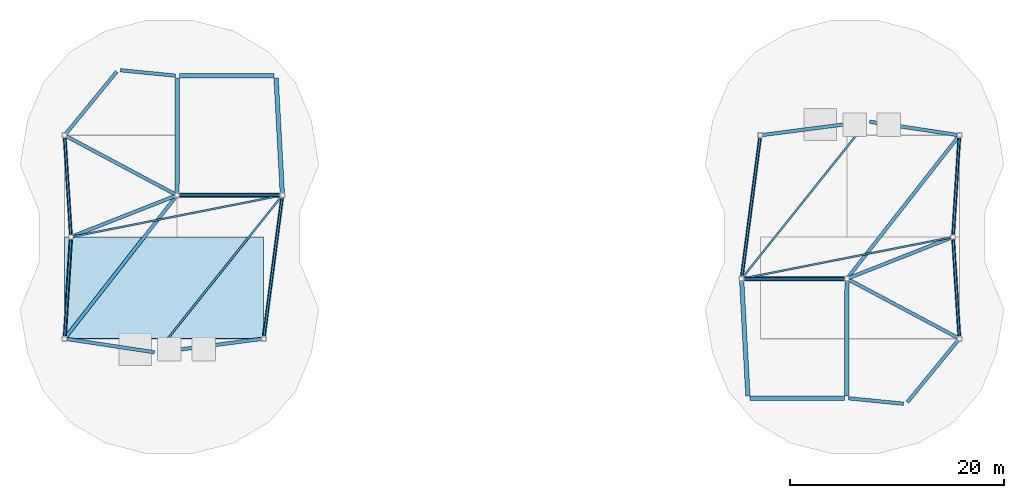
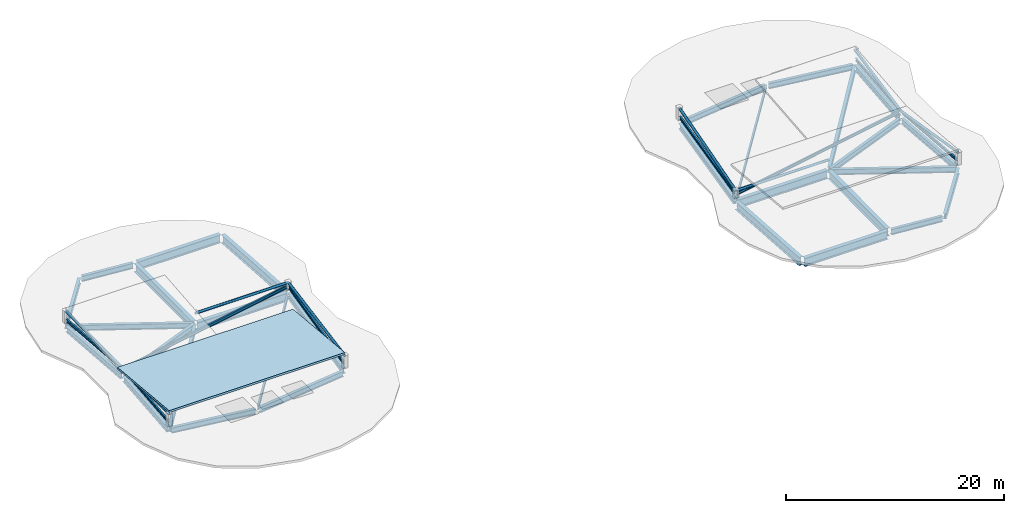
# One storey, part 5 of 6: 38 beams, 8 members, 1 slab.
"""IFC4 building model written with IfcOpenShell, lengths in metres."""

from ifc_helpers import new_model, si_unit, direction, frame, origin, origin_2d, place, context, subcontext, project, spatial, polyline, hollow_circle, i_section, outline, extrude, material, layer, layer_set, material_profile, profile_set, type_object, element, save


model = new_model("IFC4")

# Units and contexts
model_context = context("Model", 3, precision=1e-05, world=origin(), true_north=direction((0.0, 1.0)))
body_context = subcontext(model_context, "Body", "Model", "MODEL_VIEW")
ifc_project = project(units=[si_unit("LENGTHUNIT", "METRE"), si_unit("AREAUNIT", "SQUARE_METRE"), si_unit("VOLUMEUNIT", "CUBIC_METRE"), si_unit("PLANEANGLEUNIT", "RADIAN"), si_unit("MASSUNIT", "GRAM", prefix="KILO"), si_unit("THERMODYNAMICTEMPERATUREUNIT", "KELVIN"), si_unit("POWERUNIT", "WATT")], contexts=[model_context])

# Site, building, storey
site_placement = place(None, origin())
site = spatial("IfcSite", under=ifc_project, at=site_placement, CompositionType="ELEMENT")
building_placement = place(site_placement, origin())
building = spatial("IfcBuilding", under=site, at=building_placement, Name="Cundina Bronze Exchange", CompositionType="ELEMENT")
storey_placement = place(building_placement, frame((0.0, 0.0, 291.60009765625)))
storey = spatial("IfcBuildingStorey", under=building, at=storey_placement, Name="RF", CompositionType="ELEMENT", Elevation=291.60009765625)

# Beams
ifc_material_1 = material(Name="Steel ASTM A992 Grade 50", Category="steel")
ifc_material_profile_1 = material_profile(ifc_material_1, i_section(OverallWidth=0.172119140625, OverallDepth=0.35791015625, WebThickness=0.0078125, FlangeThickness=0.01318359375, FilletRadius=0.010009765625, at=origin_2d()), Name="W14X38", Category="steel")
ifc_profile_set_1 = profile_set([ifc_material_profile_1], Name="Steel ASTM A992 Grade 50")
beam_type_1 = type_object("IfcBeamType", Name="BM-JST-W14", PredefinedType="JOIST", material=ifc_profile_set_1)
beam_1_placement = place(storey_placement, frame((21.572509765625, -3.746826171875, -0.44921875), z_axis=(0.624366688299, 0.781131383662, 0.0), x_axis=(-0.781131383662, 0.624366688299, 0.0)))
element("IfcBeam", 1, at=beam_1_placement, inside=storey, type_object=beam_type_1, Name="RF E Interior Core-to-Ring Joist 2", PredefinedType="JOIST", context=body_context, shape_type="SweptSolid", body=[
    extrude(i_section(OverallWidth=0.172119140625, OverallDepth=0.35791015625, WebThickness=0.0078125, FlangeThickness=0.01318359375, FilletRadius=0.010009765625, at=origin_2d()), origin(), (0.0, 0.0, 1.0), 18.40966796875),
])
ifc_material_profile_2 = material_profile(ifc_material_1, i_section(OverallWidth=0.178955078125, OverallDepth=0.409912109375, WebThickness=0.0087890625, FlangeThickness=0.014404296875, FilletRadius=0.010986328125, at=origin_2d()), Name="W16X45", Category="steel")
ifc_profile_set_2 = profile_set([ifc_material_profile_2], Name="Steel ASTM A992 Grade 50")
beam_type_2 = type_object("IfcBeamType", Name="BM-JST-W16", PredefinedType="JOIST", material=ifc_profile_set_2)
beam_2_placement = place(storey_placement, frame((-21.572509765625, 3.746826171875, -0.47509765625), z_axis=(-0.624366688299, -0.781131383662, 0.0), x_axis=(0.781131383662, -0.624366688299, 0.0)))
element("IfcBeam", 2, at=beam_2_placement, inside=storey, type_object=beam_type_2, Name="RF W Interior Core-to-Ring Joist 2", PredefinedType="JOIST", context=body_context, shape_type="SweptSolid", body=[
    extrude(i_section(OverallWidth=0.178955078125, OverallDepth=0.409912109375, WebThickness=0.0087890625, FlangeThickness=0.014404296875, FilletRadius=0.010986328125, at=origin_2d()), origin(), (0.0, 0.0, 1.0), 18.40966796875),
])
ifc_material_profile_3 = material_profile(ifc_material_1, i_section(OverallWidth=0.324951171875, OverallDepth=0.615966796875, WebThickness=0.013916015625, FlangeThickness=0.021484375, FilletRadius=0.01611328125, at=origin_2d()), Name="W24X117", Category="steel")
ifc_profile_set_3 = profile_set([ifc_material_profile_3], Name="Steel ASTM A992 Grade 50")
beam_type_3 = type_object("IfcBeamType", Name="BM-RING-W24", PredefinedType="USERDEFINED", material=ifc_profile_set_3)
beam_3_placement = place(storey_placement, frame((-31.445068359375, 15.0693359375, -0.578125), z_axis=(-0.995123343793, 0.098638383187, 0.0), x_axis=(-0.098638383187, -0.995123343793, 0.0)))
element("IfcBeam", 3, at=beam_3_placement, inside=storey, type_object=beam_type_3, Name="RF W Inner Structural Ring Girder 01", ObjectType="GIRDER", PredefinedType="USERDEFINED", context=body_context, shape_type="SweptSolid", body=[
    extrude(i_section(OverallWidth=0.324951171875, OverallDepth=0.615966796875, WebThickness=0.013916015625, FlangeThickness=0.021484375, FilletRadius=0.01611328125, at=origin_2d()), origin(), (0.0, 0.0, 1.0), 5.16796875),
])
beam_4_placement = place(storey_placement, frame((-36.93505859375, 15.435302734375, -0.578125), z_axis=(-0.633932446684, -0.773388423136, 0.0), x_axis=(0.773388423136, -0.633932446684, 0.0)))
element("IfcBeam", 4, at=beam_4_placement, inside=storey, type_object=beam_type_3, Name="RF W Inner Structural Ring Girder 02", ObjectType="GIRDER", PredefinedType="USERDEFINED", context=body_context, shape_type="SweptSolid", body=[
    extrude(i_section(OverallWidth=0.324951171875, OverallDepth=0.615966796875, WebThickness=0.013916015625, FlangeThickness=0.021484375, FilletRadius=0.01611328125, at=origin_2d()), origin(), (0.0, 0.0, 1.0), 7.46142578125),
])
for number, where, z_axis, x_axis, name in (
    (5, (-41.78662109375, 9.287353515625, -0.578125), (0.063043564756, -0.998010775965, 0.0), (0.998010775965, 0.063043564756, 0.0), "RF W Inner Structural Ring Girder 03"),
    (6, (-41.21337890625, -0.212646484375, -0.578125), (-0.063043564756, -0.998010775965, 0.0), (0.998010775965, -0.063043564756, 0.0), "RF W Inner Structural Ring Girder 04"),
):
    element("IfcBeam", number, at=place(storey_placement, frame(where, z_axis=z_axis, x_axis=x_axis)), inside=storey, type_object=beam_type_3, Name=name, ObjectType="GIRDER", PredefinedType="USERDEFINED", context=body_context, shape_type="SweptSolid", body=[
        extrude(i_section(OverallWidth=0.324951171875, OverallDepth=0.615966796875, WebThickness=0.013916015625, FlangeThickness=0.021484375, FilletRadius=0.01611328125, at=origin_2d()), origin(), (0.0, 0.0, 1.0), 9.0927734375),
    ])
beam_5_placement = place(storey_placement, frame((-41.58935546875, -9.53173828125, -0.578125), z_axis=(0.988762483919, -0.149494984509, 0.0), x_axis=(0.149494984509, 0.988762483919, 0.0)))
element("IfcBeam", 7, at=beam_5_placement, inside=storey, type_object=beam_type_3, Name="RF W Inner Structural Ring Girder 05", ObjectType="GIRDER", PredefinedType="USERDEFINED", context=body_context, shape_type="SweptSolid", body=[
    extrude(i_section(OverallWidth=0.324951171875, OverallDepth=0.615966796875, WebThickness=0.013916015625, FlangeThickness=0.021484375, FilletRadius=0.01611328125, at=origin_2d()), origin(), (0.0, 0.0, 1.0), 8.271728515625),
])
beam_6_placement = place(storey_placement, frame((-32.98876953125, -10.7724609375, -0.578125), z_axis=(0.991658525473, 0.128892858052, 0.0), x_axis=(-0.128892858052, 0.991658525473, 0.0)))
element("IfcBeam", 8, at=beam_6_placement, inside=storey, type_object=beam_type_3, Name="RF W Inner Structural Ring Girder 06", ObjectType="GIRDER", PredefinedType="USERDEFINED", context=body_context, shape_type="SweptSolid", body=[
    extrude(i_section(OverallWidth=0.324951171875, OverallDepth=0.615966796875, WebThickness=0.013916015625, FlangeThickness=0.021484375, FilletRadius=0.01611328125, at=origin_2d()), origin(), (0.0, 0.0, 1.0), 9.658203125),
])
beam_7_placement = place(storey_placement, frame((-23.17236328125, -9.288818359375, -0.578125), z_axis=(0.129494487025, 0.99158014191, 0.0), x_axis=(-0.99158014191, 0.129494487025, 0.0)))
element("IfcBeam", 9, at=beam_7_placement, inside=storey, type_object=beam_type_3, Name="RF W Inner Structural Ring Girder 07", ObjectType="GIRDER", PredefinedType="USERDEFINED", context=body_context, shape_type="SweptSolid", body=[
    extrude(i_section(OverallWidth=0.324951171875, OverallDepth=0.615966796875, WebThickness=0.013916015625, FlangeThickness=0.021484375, FilletRadius=0.01611328125, at=origin_2d()), origin(), (0.0, 0.0, 1.0), 13.10498046875),
])
beam_8_placement = place(storey_placement, frame((-31.482421875, 3.828125, -0.578125), z_axis=(-0.93040913258, -0.366522640518, 0.0), x_axis=(0.366522640518, -0.93040913258, 0.0)))
element("IfcBeam", 10, at=beam_8_placement, inside=storey, type_object=beam_type_3, Name="RF W Core-to-Waist Tie Beam 1", ObjectType="GIRDER", PredefinedType="USERDEFINED", context=body_context, shape_type="SweptSolid", body=[
    extrude(i_section(OverallWidth=0.324951171875, OverallDepth=0.615966796875, WebThickness=0.013916015625, FlangeThickness=0.021484375, FilletRadius=0.01611328125, at=origin_2d()), origin(), (0.0, 0.0, 1.0), 10.231201171875),
])
beam_9_placement = place(storey_placement, frame((-31.472900390625, 3.9921875, -0.578125), z_axis=(-0.882347059857, 0.470599262602, 0.0), x_axis=(-0.470599262602, -0.882347059857, 0.0)))
element("IfcBeam", 11, at=beam_9_placement, inside=storey, type_object=beam_type_3, Name="RF W Core-to-Waist Tie Beam 2", ObjectType="GIRDER", PredefinedType="USERDEFINED", context=body_context, shape_type="SweptSolid", body=[
    extrude(i_section(OverallWidth=0.324951171875, OverallDepth=0.615966796875, WebThickness=0.013916015625, FlangeThickness=0.021484375, FilletRadius=0.01611328125, at=origin_2d()), origin(), (0.0, 0.0, 1.0), 11.4912109375),
])
beam_10_placement = place(storey_placement, frame((-31.4208984375, 3.74560546875, -0.578125), z_axis=(-0.616791126611, -0.787126867877, 0.0), x_axis=(0.787126867877, -0.616791126611, 0.0)))
element("IfcBeam", 12, at=beam_10_placement, inside=storey, type_object=beam_type_3, Name="RF W Core-to-Waist Tie Beam 3", ObjectType="GIRDER", PredefinedType="USERDEFINED", context=body_context, shape_type="SweptSolid", body=[
    extrude(i_section(OverallWidth=0.324951171875, OverallDepth=0.615966796875, WebThickness=0.013916015625, FlangeThickness=0.021484375, FilletRadius=0.01611328125, at=origin_2d()), origin(), (0.0, 0.0, 1.0), 16.61474609375),
])
beam_11_placement = place(storey_placement, frame((31.445068359375, -15.0693359375, -0.578125), z_axis=(0.995123343793, -0.098638383187, 0.0), x_axis=(0.098638383187, 0.995123343793, 0.0)))
element("IfcBeam", 13, at=beam_11_placement, inside=storey, type_object=beam_type_3, Name="RF E Inner Structural Ring Girder 01", ObjectType="GIRDER", PredefinedType="USERDEFINED", context=body_context, shape_type="SweptSolid", body=[
    extrude(i_section(OverallWidth=0.324951171875, OverallDepth=0.615966796875, WebThickness=0.013916015625, FlangeThickness=0.021484375, FilletRadius=0.01611328125, at=origin_2d()), origin(), (0.0, 0.0, 1.0), 5.16796875),
])
beam_12_placement = place(storey_placement, frame((36.93505859375, -15.435302734375, -0.578125), z_axis=(0.633932446684, 0.773388423136, 0.0), x_axis=(-0.773388423136, 0.633932446684, 0.0)))
element("IfcBeam", 14, at=beam_12_placement, inside=storey, type_object=beam_type_3, Name="RF E Inner Structural Ring Girder 02", ObjectType="GIRDER", PredefinedType="USERDEFINED", context=body_context, shape_type="SweptSolid", body=[
    extrude(i_section(OverallWidth=0.324951171875, OverallDepth=0.615966796875, WebThickness=0.013916015625, FlangeThickness=0.021484375, FilletRadius=0.01611328125, at=origin_2d()), origin(), (0.0, 0.0, 1.0), 7.46142578125),
])
for number, where, z_axis, x_axis, name in (
    (15, (41.78662109375, -9.287353515625, -0.578125), (-0.063043564756, 0.998010775965, 0.0), (-0.998010775965, -0.063043564756, 0.0), "RF E Inner Structural Ring Girder 03"),
    (16, (41.21337890625, 0.212646484375, -0.578125), (0.063043564756, 0.998010775965, 0.0), (-0.998010775965, 0.063043564756, 0.0), "RF E Inner Structural Ring Girder 04"),
):
    element("IfcBeam", number, at=place(storey_placement, frame(where, z_axis=z_axis, x_axis=x_axis)), inside=storey, type_object=beam_type_3, Name=name, ObjectType="GIRDER", PredefinedType="USERDEFINED", context=body_context, shape_type="SweptSolid", body=[
        extrude(i_section(OverallWidth=0.324951171875, OverallDepth=0.615966796875, WebThickness=0.013916015625, FlangeThickness=0.021484375, FilletRadius=0.01611328125, at=origin_2d()), origin(), (0.0, 0.0, 1.0), 9.0927734375),
    ])
beam_13_placement = place(storey_placement, frame((41.58935546875, 9.53173828125, -0.578125), z_axis=(-0.988762483919, 0.149494984509, 0.0), x_axis=(-0.149494984509, -0.988762483919, 0.0)))
element("IfcBeam", 17, at=beam_13_placement, inside=storey, type_object=beam_type_3, Name="RF E Inner Structural Ring Girder 05", ObjectType="GIRDER", PredefinedType="USERDEFINED", context=body_context, shape_type="SweptSolid", body=[
    extrude(i_section(OverallWidth=0.324951171875, OverallDepth=0.615966796875, WebThickness=0.013916015625, FlangeThickness=0.021484375, FilletRadius=0.01611328125, at=origin_2d()), origin(), (0.0, 0.0, 1.0), 8.271728515625),
])
beam_14_placement = place(storey_placement, frame((32.98876953125, 10.7724609375, -0.578125), z_axis=(-0.991658525473, -0.128892858052, 0.0), x_axis=(0.128892858052, -0.991658525473, 0.0)))
element("IfcBeam", 18, at=beam_14_placement, inside=storey, type_object=beam_type_3, Name="RF E Inner Structural Ring Girder 06", ObjectType="GIRDER", PredefinedType="USERDEFINED", context=body_context, shape_type="SweptSolid", body=[
    extrude(i_section(OverallWidth=0.324951171875, OverallDepth=0.615966796875, WebThickness=0.013916015625, FlangeThickness=0.021484375, FilletRadius=0.01611328125, at=origin_2d()), origin(), (0.0, 0.0, 1.0), 9.658203125),
])
beam_15_placement = place(storey_placement, frame((23.17236328125, 9.288818359375, -0.578125), z_axis=(-0.129494487025, -0.99158014191, 0.0), x_axis=(0.99158014191, -0.129494487025, 0.0)))
element("IfcBeam", 19, at=beam_15_placement, inside=storey, type_object=beam_type_3, Name="RF E Inner Structural Ring Girder 07", ObjectType="GIRDER", PredefinedType="USERDEFINED", context=body_context, shape_type="SweptSolid", body=[
    extrude(i_section(OverallWidth=0.324951171875, OverallDepth=0.615966796875, WebThickness=0.013916015625, FlangeThickness=0.021484375, FilletRadius=0.01611328125, at=origin_2d()), origin(), (0.0, 0.0, 1.0), 13.10498046875),
])
beam_16_placement = place(storey_placement, frame((31.482421875, -3.828125, -0.578125), z_axis=(0.93040913258, 0.366522640518, 0.0), x_axis=(-0.366522640518, 0.93040913258, 0.0)))
element("IfcBeam", 20, at=beam_16_placement, inside=storey, type_object=beam_type_3, Name="RF E Core-to-Waist Tie Beam 1", ObjectType="GIRDER", PredefinedType="USERDEFINED", context=body_context, shape_type="SweptSolid", body=[
    extrude(i_section(OverallWidth=0.324951171875, OverallDepth=0.615966796875, WebThickness=0.013916015625, FlangeThickness=0.021484375, FilletRadius=0.01611328125, at=origin_2d()), origin(), (0.0, 0.0, 1.0), 10.231201171875),
])
beam_17_placement = place(storey_placement, frame((31.472900390625, -3.9921875, -0.578125), z_axis=(0.882347059857, -0.470599262602, 0.0), x_axis=(0.470599262602, 0.882347059857, 0.0)))
element("IfcBeam", 21, at=beam_17_placement, inside=storey, type_object=beam_type_3, Name="RF E Core-to-Waist Tie Beam 2", ObjectType="GIRDER", PredefinedType="USERDEFINED", context=body_context, shape_type="SweptSolid", body=[
    extrude(i_section(OverallWidth=0.324951171875, OverallDepth=0.615966796875, WebThickness=0.013916015625, FlangeThickness=0.021484375, FilletRadius=0.01611328125, at=origin_2d()), origin(), (0.0, 0.0, 1.0), 11.4912109375),
])
beam_18_placement = place(storey_placement, frame((31.4208984375, -3.74560546875, -0.578125), z_axis=(0.616791126611, 0.787126867877, 0.0), x_axis=(-0.787126867877, 0.616791126611, 0.0)))
element("IfcBeam", 22, at=beam_18_placement, inside=storey, type_object=beam_type_3, Name="RF E Core-to-Waist Tie Beam 3", ObjectType="GIRDER", PredefinedType="USERDEFINED", context=body_context, shape_type="SweptSolid", body=[
    extrude(i_section(OverallWidth=0.324951171875, OverallDepth=0.615966796875, WebThickness=0.013916015625, FlangeThickness=0.021484375, FilletRadius=0.01611328125, at=origin_2d()), origin(), (0.0, 0.0, 1.0), 16.61474609375),
])
ifc_material_profile_4 = material_profile(ifc_material_1, i_section(OverallWidth=0.166015625, OverallDepth=0.31298828125, WebThickness=0.006591796875, FlangeThickness=0.01123046875, FilletRadius=0.010009765625, at=origin_2d()), Name="W12X30", Category="steel")
ifc_profile_set_4 = profile_set([ifc_material_profile_4], Name="Steel ASTM A992 Grade 50")
beam_type_4 = type_object("IfcBeamType", Name="BM-ROOF-W12", PredefinedType="USERDEFINED", material=ifc_profile_set_4)
beam_19_placement = place(storey_placement, frame((-40.990966796875, 0.041259765625, 0.343505859375), z_axis=(0.981056186097, 0.193723410358, 0.0), x_axis=(-0.193723410358, 0.981056186097, 0.0)))
element("IfcBeam", 23, at=beam_19_placement, inside=storey, type_object=beam_type_4, Name="RF Leg W V-Notch Glass Roof Purlin EAV", ObjectType="PURLIN", PredefinedType="USERDEFINED", context=body_context, shape_type="SweptSolid", body=[
    extrude(i_section(OverallWidth=0.166015625, OverallDepth=0.31298828125, WebThickness=0.006591796875, FlangeThickness=0.01123046875, FilletRadius=0.010009765625, at=origin_2d()), origin(), (0.0, 0.0, 1.0), 19.705322265625),
])
for number, where, z_axis, x_axis, name in (
    (24, (-41.21337890625, 0.212646484375, 0.343505859375), (-0.063043564756, 0.998010775965, 0.0), (-0.998010775965, -0.063043564756, 0.0), "RF Leg W V-Notch Glass Roof Purlin DGN"),
    (25, (-41.21337890625, -0.212646484375, 0.343505859375), (-0.063043564756, -0.998010775965, 0.0), (0.998010775965, -0.063043564756, 0.0), "RF Leg W V-Notch Glass Roof Purlin DGS"),
):
    element("IfcBeam", number, at=place(storey_placement, frame(where, z_axis=z_axis, x_axis=x_axis)), inside=storey, type_object=beam_type_4, Name=name, ObjectType="PURLIN", PredefinedType="USERDEFINED", context=body_context, shape_type="SweptSolid", body=[
        extrude(i_section(OverallWidth=0.166015625, OverallDepth=0.31298828125, WebThickness=0.006591796875, FlangeThickness=0.01123046875, FilletRadius=0.010009765625, at=origin_2d()), origin(), (0.0, 0.0, 1.0), 9.0927734375),
    ])
beam_20_placement = place(storey_placement, frame((-21.4775390625, 3.688720703125, 0.343505859375), z_axis=(-0.129497083882, -0.991579802772, 0.0), x_axis=(0.991579802772, -0.129497083882, 0.0)))
element("IfcBeam", 26, at=beam_20_placement, inside=storey, type_object=beam_type_4, Name="RF Leg W V-Notch Glass Roof Purlin XRS", ObjectType="PURLIN", PredefinedType="USERDEFINED", context=body_context, shape_type="SweptSolid", body=[
    extrude(i_section(OverallWidth=0.166015625, OverallDepth=0.31298828125, WebThickness=0.006591796875, FlangeThickness=0.01123046875, FilletRadius=0.010009765625, at=origin_2d()), origin(), (0.0, 0.0, 1.0), 13.087646484375),
])
beam_21_placement = place(storey_placement, frame((40.990966796875, -0.041259765625, 0.343505859375), z_axis=(-0.981056186097, -0.193723410358, 0.0), x_axis=(0.193723410358, -0.981056186097, 0.0)))
element("IfcBeam", 27, at=beam_21_placement, inside=storey, type_object=beam_type_4, Name="RF Leg E V-Notch Glass Roof Purlin EAV", ObjectType="PURLIN", PredefinedType="USERDEFINED", context=body_context, shape_type="SweptSolid", body=[
    extrude(i_section(OverallWidth=0.166015625, OverallDepth=0.31298828125, WebThickness=0.006591796875, FlangeThickness=0.01123046875, FilletRadius=0.010009765625, at=origin_2d()), origin(), (0.0, 0.0, 1.0), 19.705322265625),
])
for number, where, z_axis, x_axis, name in (
    (28, (41.21337890625, -0.212646484375, 0.343505859375), (0.063043564756, -0.998010775965, 0.0), (0.998010775965, 0.063043564756, 0.0), "RF Leg E V-Notch Glass Roof Purlin DGN"),
    (29, (41.21337890625, 0.212646484375, 0.343505859375), (0.063043564756, 0.998010775965, 0.0), (-0.998010775965, 0.063043564756, 0.0), "RF Leg E V-Notch Glass Roof Purlin DGS"),
):
    element("IfcBeam", number, at=place(storey_placement, frame(where, z_axis=z_axis, x_axis=x_axis)), inside=storey, type_object=beam_type_4, Name=name, ObjectType="PURLIN", PredefinedType="USERDEFINED", context=body_context, shape_type="SweptSolid", body=[
        extrude(i_section(OverallWidth=0.166015625, OverallDepth=0.31298828125, WebThickness=0.006591796875, FlangeThickness=0.01123046875, FilletRadius=0.010009765625, at=origin_2d()), origin(), (0.0, 0.0, 1.0), 9.0927734375),
    ])
beam_22_placement = place(storey_placement, frame((21.4775390625, -3.688720703125, 0.343505859375), z_axis=(0.129497083882, 0.991579802772, 0.0), x_axis=(-0.991579802772, 0.129497083882, 0.0)))
element("IfcBeam", 30, at=beam_22_placement, inside=storey, type_object=beam_type_4, Name="RF Leg E V-Notch Glass Roof Purlin XRS", ObjectType="PURLIN", PredefinedType="USERDEFINED", context=body_context, shape_type="SweptSolid", body=[
    extrude(i_section(OverallWidth=0.166015625, OverallDepth=0.31298828125, WebThickness=0.006591796875, FlangeThickness=0.01123046875, FilletRadius=0.010009765625, at=origin_2d()), origin(), (0.0, 0.0, 1.0), 13.087646484375),
])
ifc_material_profile_5 = material_profile(ifc_material_1, i_section(OverallWidth=0.41796875, OverallDepth=0.927001953125, WebThickness=0.019287109375, FlangeThickness=0.031982421875, FilletRadius=0.02392578125, at=origin_2d()), Name="W36X231", Category="steel")
ifc_profile_set_5 = profile_set([ifc_material_profile_5], Name="Steel ASTM A992 Grade 50")
beam_type_5 = type_object("IfcBeamType", Name="BM-WRN-W36B", PredefinedType="USERDEFINED", material=ifc_profile_set_5)
beam_23_placement = place(storey_placement, frame((-31.10400390625, 3.89990234375, -0.733642578125), z_axis=(1.0, 0.0, 0.0), x_axis=(0.0, 1.0, 0.0)))
element("IfcBeam", 31, at=beam_23_placement, inside=storey, type_object=beam_type_5, Name="RF W Core Perimeter Tie Girder 1", ObjectType="GIRDER", PredefinedType="USERDEFINED", context=body_context, shape_type="SweptSolid", body=[
    extrude(i_section(OverallWidth=0.41796875, OverallDepth=0.927001953125, WebThickness=0.019287109375, FlangeThickness=0.031982421875, FilletRadius=0.02392578125, at=origin_2d()), origin(), (0.0, 0.0, 1.0), 9.4580078125),
])
beam_24_placement = place(storey_placement, frame((-21.46044921875, 4.095703125, -0.733642578125), z_axis=(-0.053749317644, 0.998554460634, 0.0), x_axis=(-0.998554460634, -0.053749317644, 0.0)))
element("IfcBeam", 32, at=beam_24_placement, inside=storey, type_object=beam_type_5, Name="RF W Core Perimeter Tie Girder 2", ObjectType="GIRDER", PredefinedType="USERDEFINED", context=body_context, shape_type="SweptSolid", body=[
    extrude(i_section(OverallWidth=0.41796875, OverallDepth=0.927001953125, WebThickness=0.019287109375, FlangeThickness=0.031982421875, FilletRadius=0.02392578125, at=origin_2d()), origin(), (0.0, 0.0, 1.0), 10.774169921875),
])
beam_25_placement = place(storey_placement, frame((-22.24609375, 15.050048828125, -0.733642578125), z_axis=(-1.0, 0.0, 0.0), x_axis=(0.0, -1.0, 0.0)))
element("IfcBeam", 33, at=beam_25_placement, inside=storey, type_object=beam_type_5, Name="RF W Core Perimeter Tie Girder 3", ObjectType="GIRDER", PredefinedType="USERDEFINED", context=body_context, shape_type="SweptSolid", body=[
    extrude(i_section(OverallWidth=0.41796875, OverallDepth=0.927001953125, WebThickness=0.019287109375, FlangeThickness=0.031982421875, FilletRadius=0.02392578125, at=origin_2d()), origin(), (0.0, 0.0, 1.0), 8.807861328125),
])
beam_26_placement = place(storey_placement, frame((-31.2509765625, 14.85400390625, -0.733642578125), z_axis=(-0.004470623654, -0.999990006712, 0.0), x_axis=(0.999990006712, -0.004470623654, 0.0)))
element("IfcBeam", 34, at=beam_26_placement, inside=storey, type_object=beam_type_5, Name="RF W Core Perimeter Tie Girder 4", ObjectType="GIRDER", PredefinedType="USERDEFINED", context=body_context, shape_type="SweptSolid", body=[
    extrude(i_section(OverallWidth=0.41796875, OverallDepth=0.927001953125, WebThickness=0.019287109375, FlangeThickness=0.031982421875, FilletRadius=0.02392578125, at=origin_2d()), origin(), (0.0, 0.0, 1.0), 10.758056640625),
])
beam_27_placement = place(storey_placement, frame((31.10400390625, -3.89990234375, -0.733642578125), z_axis=(-1.0, 0.0, 0.0), x_axis=(0.0, -1.0, 0.0)))
element("IfcBeam", 35, at=beam_27_placement, inside=storey, type_object=beam_type_5, Name="RF E Core Perimeter Tie Girder 1", ObjectType="GIRDER", PredefinedType="USERDEFINED", context=body_context, shape_type="SweptSolid", body=[
    extrude(i_section(OverallWidth=0.41796875, OverallDepth=0.927001953125, WebThickness=0.019287109375, FlangeThickness=0.031982421875, FilletRadius=0.02392578125, at=origin_2d()), origin(), (0.0, 0.0, 1.0), 9.4580078125),
])
beam_28_placement = place(storey_placement, frame((21.46044921875, -4.095703125, -0.733642578125), z_axis=(0.053749317644, -0.998554460634, 0.0), x_axis=(0.998554460634, 0.053749317644, 0.0)))
element("IfcBeam", 36, at=beam_28_placement, inside=storey, type_object=beam_type_5, Name="RF E Core Perimeter Tie Girder 2", ObjectType="GIRDER", PredefinedType="USERDEFINED", context=body_context, shape_type="SweptSolid", body=[
    extrude(i_section(OverallWidth=0.41796875, OverallDepth=0.927001953125, WebThickness=0.019287109375, FlangeThickness=0.031982421875, FilletRadius=0.02392578125, at=origin_2d()), origin(), (0.0, 0.0, 1.0), 10.774169921875),
])
beam_29_placement = place(storey_placement, frame((22.24609375, -15.050048828125, -0.733642578125), z_axis=(1.0, 0.0, 0.0), x_axis=(0.0, 1.0, 0.0)))
element("IfcBeam", 37, at=beam_29_placement, inside=storey, type_object=beam_type_5, Name="RF E Core Perimeter Tie Girder 3", ObjectType="GIRDER", PredefinedType="USERDEFINED", context=body_context, shape_type="SweptSolid", body=[
    extrude(i_section(OverallWidth=0.41796875, OverallDepth=0.927001953125, WebThickness=0.019287109375, FlangeThickness=0.031982421875, FilletRadius=0.02392578125, at=origin_2d()), origin(), (0.0, 0.0, 1.0), 8.807861328125),
])
beam_30_placement = place(storey_placement, frame((31.2509765625, -14.85400390625, -0.733642578125), z_axis=(0.004470623654, 0.999990006712, 0.0), x_axis=(-0.999990006712, 0.004470623654, 0.0)))
element("IfcBeam", 38, at=beam_30_placement, inside=storey, type_object=beam_type_5, Name="RF E Core Perimeter Tie Girder 4", ObjectType="GIRDER", PredefinedType="USERDEFINED", context=body_context, shape_type="SweptSolid", body=[
    extrude(i_section(OverallWidth=0.41796875, OverallDepth=0.927001953125, WebThickness=0.019287109375, FlangeThickness=0.031982421875, FilletRadius=0.02392578125, at=origin_2d()), origin(), (0.0, 0.0, 1.0), 10.758056640625),
])

# Members
ifc_material_2 = material(Name="Steel ASTM A500 Grade C", Category="steel")
ifc_material_profile_6 = material_profile(ifc_material_2, hollow_circle(Radius=0.136474609375, WallThickness=0.013916015625, at=origin_2d()), Name="CHS273X14", Category="steel")
ifc_profile_set_6 = profile_set([ifc_material_profile_6], Name="Steel ASTM A500 Grade C")
member_type = type_object("IfcMemberType", Name="MBR-ROOF-CHS273", PredefinedType="RAFTER", material=ifc_profile_set_6)
member_1_placement = place(storey_placement, frame((-41.199951171875, 0.0, 0.369873046875), z_axis=(-0.062761015729, 0.993554371056, 0.094396857262), x_axis=(-0.998010841781, -0.063042522849, 0.0)))
element("IfcMember", 39, at=member_1_placement, inside=storey, type_object=member_type, Name="RF Leg W V-Notch Sloped Rafter NW", PredefinedType="RAFTER", context=body_context, shape_type="SweptSolid", body=[
    extrude(hollow_circle(Radius=0.136474609375, WallThickness=0.013916015625, at=origin_2d()), origin(), (0.0, 0.0, 1.0), 9.5615234375),
])
member_2_placement = place(storey_placement, frame((-21.449951171875, 3.89990234375, 0.740478515625), z_axis=(-1.0, 0.0, 0.0), x_axis=(0.0, -1.0, 0.0)))
element("IfcMember", 40, at=member_2_placement, inside=storey, type_object=member_type, Name="RF Leg W V-Notch Sloped Rafter NE", PredefinedType="RAFTER", context=body_context, shape_type="SweptSolid", body=[
    extrude(hollow_circle(Radius=0.136474609375, WallThickness=0.013916015625, at=origin_2d()), origin(), (0.0, 0.0, 1.0), 9.85009765625),
])
member_3_placement = place(storey_placement, frame((-41.199951171875, 0.0, 0.369873046875), z_axis=(-0.062761015729, -0.993554371056, 0.094396857262), x_axis=(0.998010841781, -0.063042522849, 0.0)))
element("IfcMember", 41, at=member_3_placement, inside=storey, type_object=member_type, Name="RF Leg W V-Notch Sloped Rafter SW", PredefinedType="RAFTER", context=body_context, shape_type="SweptSolid", body=[
    extrude(hollow_circle(Radius=0.136474609375, WallThickness=0.013916015625, at=origin_2d()), origin(), (0.0, 0.0, 1.0), 9.5615234375),
])
member_4_placement = place(storey_placement, frame((-21.449951171875, 3.89990234375, 0.740478515625), z_axis=(-0.12939806055, -0.990812214193, 0.03933571065), x_axis=(0.991579645836, -0.129498285562, 0.0)))
element("IfcMember", 42, at=member_4_placement, inside=storey, type_object=member_type, Name="RF Leg W V-Notch Sloped Rafter SE", PredefinedType="RAFTER", context=body_context, shape_type="SweptSolid", body=[
    extrude(hollow_circle(Radius=0.136474609375, WallThickness=0.013916015625, at=origin_2d()), origin(), (0.0, 0.0, 1.0), 13.524169921875),
])
member_5_placement = place(storey_placement, frame((41.199951171875, 0.0, 0.369873046875), z_axis=(0.062761015729, -0.993554371056, 0.094396857262), x_axis=(0.998010841781, 0.063042522849, 0.0)))
element("IfcMember", 43, at=member_5_placement, inside=storey, type_object=member_type, Name="RF Leg E V-Notch Sloped Rafter NW", PredefinedType="RAFTER", context=body_context, shape_type="SweptSolid", body=[
    extrude(hollow_circle(Radius=0.136474609375, WallThickness=0.013916015625, at=origin_2d()), origin(), (0.0, 0.0, 1.0), 9.5615234375),
])
member_6_placement = place(storey_placement, frame((21.449951171875, -3.89990234375, 0.740478515625), z_axis=(1.0, 0.0, 0.0), x_axis=(0.0, 1.0, 0.0)))
element("IfcMember", 44, at=member_6_placement, inside=storey, type_object=member_type, Name="RF Leg E V-Notch Sloped Rafter NE", PredefinedType="RAFTER", context=body_context, shape_type="SweptSolid", body=[
    extrude(hollow_circle(Radius=0.136474609375, WallThickness=0.013916015625, at=origin_2d()), origin(), (0.0, 0.0, 1.0), 9.85009765625),
])
member_7_placement = place(storey_placement, frame((41.199951171875, 0.0, 0.369873046875), z_axis=(0.062761015729, 0.993554371056, 0.094396857262), x_axis=(-0.998010841781, 0.063042522849, 0.0)))
element("IfcMember", 45, at=member_7_placement, inside=storey, type_object=member_type, Name="RF Leg E V-Notch Sloped Rafter SW", PredefinedType="RAFTER", context=body_context, shape_type="SweptSolid", body=[
    extrude(hollow_circle(Radius=0.136474609375, WallThickness=0.013916015625, at=origin_2d()), origin(), (0.0, 0.0, 1.0), 9.5615234375),
])
member_8_placement = place(storey_placement, frame((21.449951171875, -3.89990234375, 0.740478515625), z_axis=(0.12939806055, 0.990812214193, 0.03933571065), x_axis=(-0.991579645836, 0.129498285562, 0.0)))
element("IfcMember", 46, at=member_8_placement, inside=storey, type_object=member_type, Name="RF Leg E V-Notch Sloped Rafter SE", PredefinedType="RAFTER", context=body_context, shape_type="SweptSolid", body=[
    extrude(hollow_circle(Radius=0.136474609375, WallThickness=0.013916015625, at=origin_2d()), origin(), (0.0, 0.0, 1.0), 13.524169921875),
])

# Slab
ifc_material_3 = material(Name="Heat-Strengthened Solar-Control Bronze Safety Glass 28mm", Category="glass")
ifc_layer = layer(ifc_material_3, 0.2099609375, Name="Heat-Strengthened Solar-Control Bronze Safety Glass 28mm", Category="glass")
ifc_layer_set = layer_set([ifc_layer], Name="Heat-Strengthened Solar-Control Bronze Safety Glass 28mm")
slab_type = type_object("IfcSlabType", Name="SLB-GLZR-210", PredefinedType="ROOF", material=ifc_layer_set)
slab_placement = place(storey_placement, frame((-23.199951171875, 0.0, 0.719970703125), z_axis=(0.0, 0.094557965291, 0.995519357522), x_axis=(-1.0, 0.0, 0.0)))
element("IfcSlab", 47, at=slab_placement, inside=storey, type_object=slab_type, Name="Crown W S Sloped V-Notch Glass Roof", PredefinedType="ROOF", context=body_context, shape_type="SweptSolid", body=[
    extrude(outline(polyline([(0.0, 0.0), (18.60009765625, 0.0), (18.60009765625, 9.542757685447329), (0.0, 9.542757685447329), (0.0, 0.0)])), origin(), (0.0, 0.0, -1.0), 0.2099609375),
])

save(model, "model.ifc")
